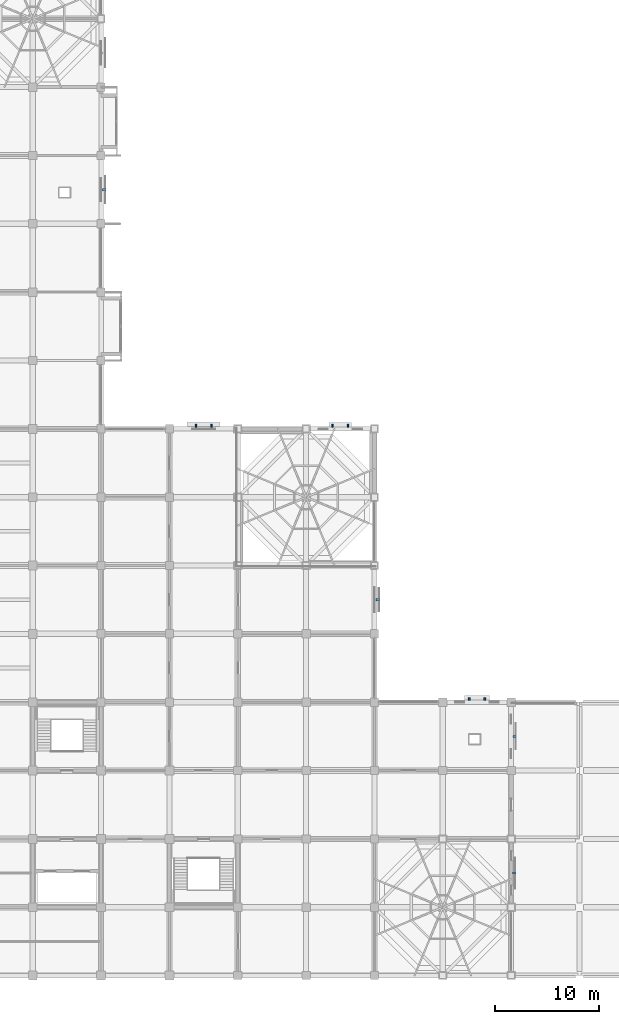
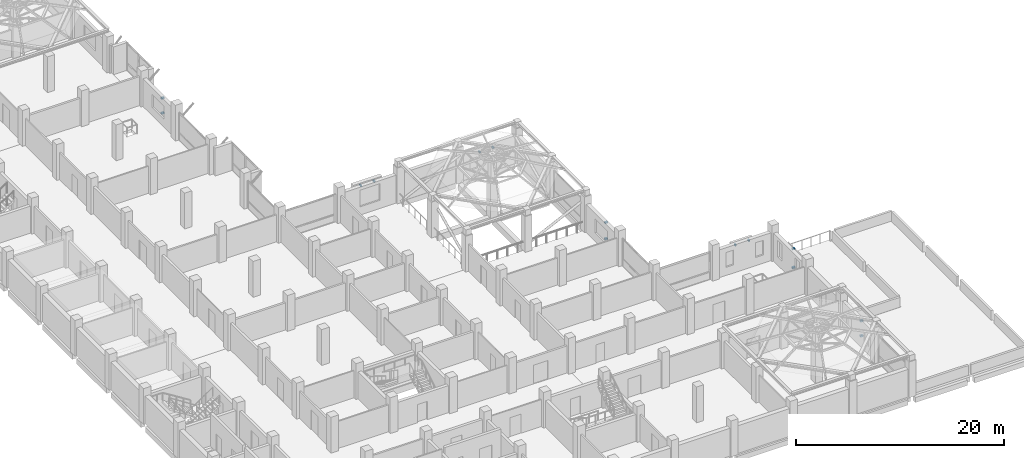
# One storey, part 21 of 25: 14 discrete accessories.
"""IFC4 building model written with IfcOpenShell, lengths in metres."""

from ifc_helpers import new_model, si_unit, direction, frame, origin, origin_2d, place, context, subcontext, project, spatial, rectangle, extrude, material, type_object, element, save


model = new_model("IFC4")

# Units and contexts
model_context = context("Model", 3, precision=1e-05, world=origin(), true_north=direction((0.0, 1.0)))
body_context = subcontext(model_context, "Body", "Model", "MODEL_VIEW")
ifc_project = project(units=[si_unit("LENGTHUNIT", "METRE"), si_unit("AREAUNIT", "SQUARE_METRE"), si_unit("VOLUMEUNIT", "CUBIC_METRE"), si_unit("PLANEANGLEUNIT", "RADIAN"), si_unit("MASSUNIT", "GRAM", prefix="KILO")], contexts=[model_context])

# Site, building, storey
site_placement = place(None, origin())
site = spatial("IfcSite", under=ifc_project, at=site_placement, CompositionType="ELEMENT")
building_placement = place(site_placement, origin())
building = spatial("IfcBuilding", under=site, at=building_placement, Name="Rusizi Kubbe Research Institute", CompositionType="ELEMENT")
storey_placement = place(building_placement, frame((0.0, 0.0, 14.39990234375)))
storey = spatial("IfcBuildingStorey", under=building, at=storey_placement, Name="L03", CompositionType="ELEMENT", Elevation=14.39990234375)

# Discrete accessories
ifc_material_1 = material(Name="Steel S355", Category="steel")
discrete_accessory_type_1 = type_object("IfcDiscreteAccessoryType", Name="BK-01", PredefinedType="BRACKET", material=ifc_material_1)
for number, where, z_axis, x_axis, name in (
    (1, (26.702392578125, 75.89990234375, 0.740234375), (0.0, 0.0, 1.0), (1.0, 0.0, 0.0), "Solar Screen Bracket 37-1"),
    (2, (26.702392578125, 75.89990234375, 2.5), (0.0, 0.0, 1.0), (1.0, 0.0, 0.0), "Solar Screen Bracket 37-2"),
    (3, (53.1201171875, 36.300048828125, 0.740234375), (0.0, 0.0, 1.0), (1.0, 0.0, 0.0), "Solar Screen Bracket 39-1"),
    (4, (53.1201171875, 36.300048828125, 2.66015625), (0.0, 0.0, 1.0), (1.0, 0.0, 0.0), "Solar Screen Bracket 39-2"),
    (5, (66.2724609375, 9.89990234375, 0.740234375), (0.0, 0.0, 1.0), (1.0, 0.0, 0.0), "Solar Screen Bracket 40-1"),
    (6, (66.2724609375, 9.89990234375, 2.5), (0.0, 0.0, 1.0), (1.0, 0.0, 0.0), "Solar Screen Bracket 40-2"),
    (7, (66.320068359375, 23.10009765625, 0.740234375), (0.0, 0.0, 1.0), (1.0, 0.0, 0.0), "Solar Screen Bracket 41-1"),
    (8, (66.320068359375, 23.10009765625, 2.93994140625), (0.0, 0.0, 1.0), (1.0, 0.0, 0.0), "Solar Screen Bracket 41-2"),
):
    element("IfcDiscreteAccessory", number, at=place(storey_placement, frame(where, z_axis=z_axis, x_axis=x_axis)), inside=storey, type_object=discrete_accessory_type_1, Name=name, PredefinedType="BRACKET", context=body_context, shape_type="SweptSolid", body=[
        extrude(rectangle(XDim=0.300048828125, YDim=0.219970703125, at=origin_2d()), origin(), (0.0, 0.0, 1.0), 0.179931640625),
    ])
ifc_material_2 = material(Name="Steel S355", Category="steel")
discrete_accessory_type_2 = type_object("IfcDiscreteAccessoryType", Name="BK-02", PredefinedType="BRACKET", material=ifc_material_2)
for number, where, z_axis, x_axis, name in (
    (9, (35.550048828125, 53.110107421875, 2.9599609375), (0.0, 0.0, 1.0), (1.0, 0.0, 0.0), "Louver Canopy Bracket 26-1"),
    (10, (37.050048828125, 53.110107421875, 2.9599609375), (0.0, 0.0, 1.0), (1.0, 0.0, 0.0), "Louver Canopy Bracket 26-2"),
    (11, (48.75, 53.092529296875, 2.30029296875), (0.0, 0.0, 1.0), (1.0, 0.0, 0.0), "Louver Canopy Bracket 27-1"),
    (12, (50.25, 53.092529296875, 2.30029296875), (0.0, 0.0, 1.0), (1.0, 0.0, 0.0), "Louver Canopy Bracket 27-2"),
    (13, (61.949951171875, 26.7099609375, 2.740234375), (0.0, 0.0, 1.0), (1.0, 0.0, 0.0), "Louver Canopy Bracket 28-1"),
    (14, (63.449951171875, 26.7099609375, 2.740234375), (0.0, 0.0, 1.0), (1.0, 0.0, 0.0), "Louver Canopy Bracket 28-2"),
):
    element("IfcDiscreteAccessory", number, at=place(storey_placement, frame(where, z_axis=z_axis, x_axis=x_axis)), inside=storey, type_object=discrete_accessory_type_2, Name=name, PredefinedType="BRACKET", context=body_context, shape_type="SweptSolid", body=[
        extrude(rectangle(XDim=0.159912109375, YDim=0.280029296875, at=origin_2d()), origin(), (0.0, 0.0, 1.0), 0.179931640625),
    ])

save(model, "model.ifc")
